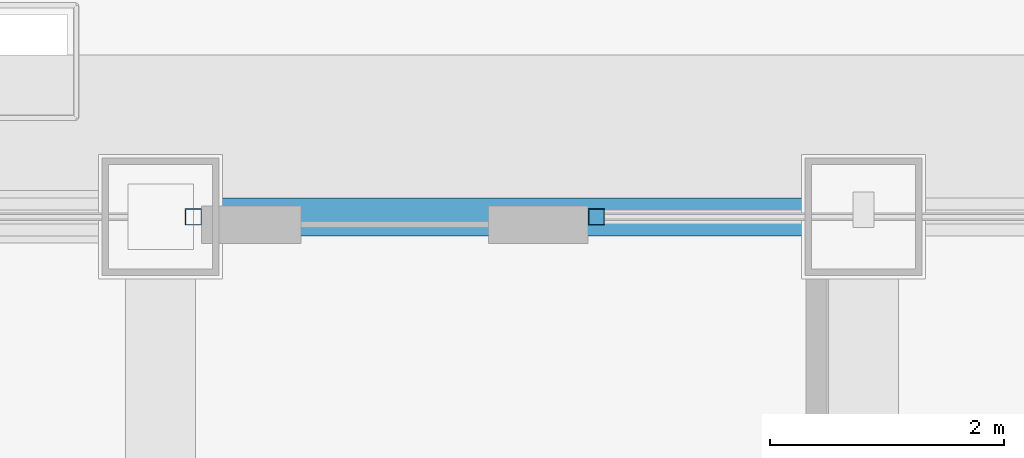
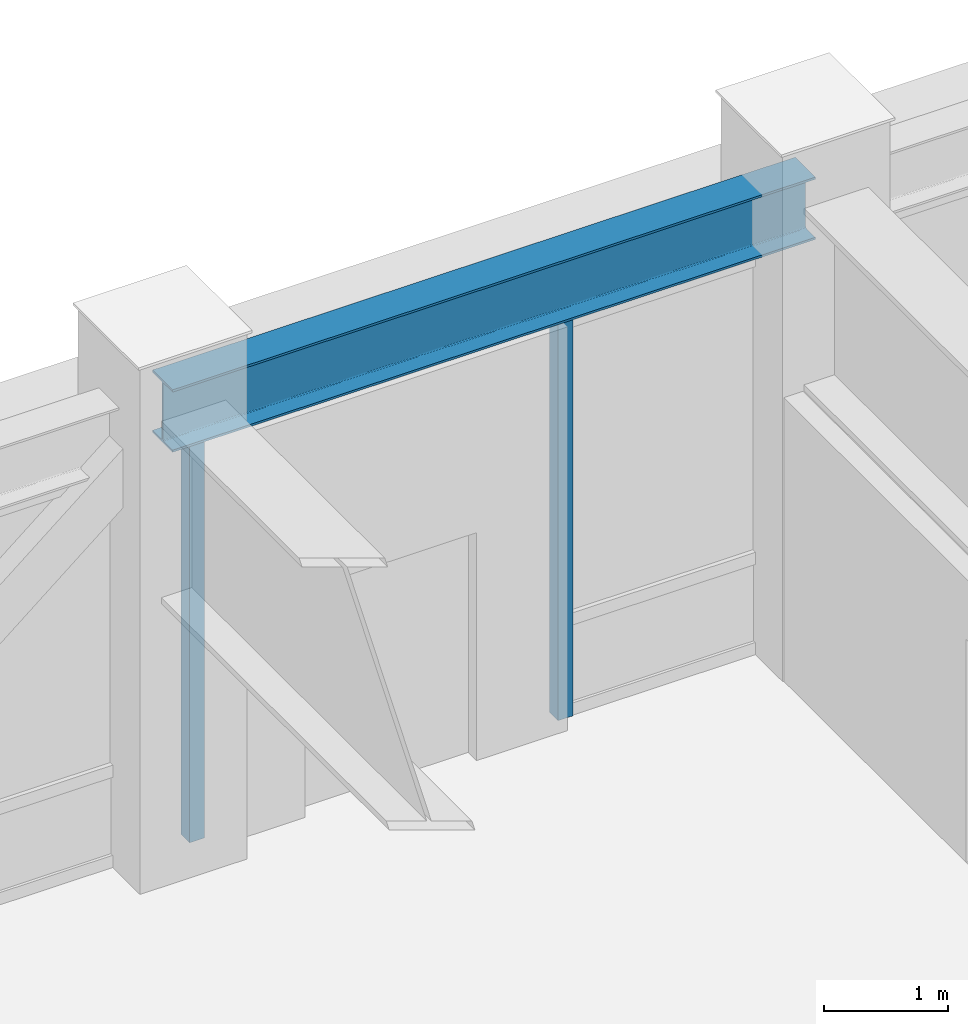
# One storey, part 18 of 33: 2 members, 1 beam, 2 elements without a shape of their own.
"""IFC4 building model written with IfcOpenShell, lengths in metres."""

from ifc_helpers import new_model, si_unit, direction, frame, origin, origin_2d, place, context, subcontext, project, spatial, hollow_rectangle, i_section, extrude, source, transform, mapped, material, material_profile, profile_set, type_object, element, aggregate, save


model = new_model("IFC4")

# Units and contexts
model_context = context("Model", 3, precision=1e-05, world=origin(), true_north=direction((0.0, 1.0)))
body_context = subcontext(model_context, "Body", "Model", "MODEL_VIEW")
ifc_project = project(units=[si_unit("LENGTHUNIT", "METRE"), si_unit("AREAUNIT", "SQUARE_METRE"), si_unit("VOLUMEUNIT", "CUBIC_METRE"), si_unit("PLANEANGLEUNIT", "RADIAN"), si_unit("MASSUNIT", "GRAM", prefix="KILO")], contexts=[model_context])

# Site, building, storey
site_placement = place(None, origin())
site = spatial("IfcSite", under=ifc_project, at=site_placement, CompositionType="ELEMENT")
building_placement = place(site_placement, origin())
building = spatial("IfcBuilding", under=site, at=building_placement, Name="Khorayat Bourse Tower", CompositionType="ELEMENT")
storey_placement = place(building_placement, frame((0.0, 0.0, 263.10009765625)))
storey = spatial("IfcBuildingStorey", under=building, at=storey_placement, Name="L62", CompositionType="ELEMENT", Elevation=263.10009765625)

# Beam
ifc_material_1 = material(Name="Steel ASTM A992 Grade 50", Category="steel")
ifc_material_profile_1 = material_profile(ifc_material_1, i_section(OverallWidth=0.324951171875, OverallDepth=0.615966796875, WebThickness=0.013916015625, FlangeThickness=0.021484375, FilletRadius=0.01611328125, at=origin_2d()), Name="W610X174")
ifc_profile_set_1 = profile_set([ifc_material_profile_1], Name="Steel ASTM A992 Grade 50")
beam_type = type_object("IfcBeamType", Name="BM-SPAN-610", PredefinedType="SPANDREL", material=ifc_profile_set_1)
shared_shape_1 = source(origin(), body_context, "Body", "SweptSolid", [
    extrude(i_section(OverallWidth=0.324951171875, OverallDepth=0.615966796875, WebThickness=0.013916015625, FlangeThickness=0.021484375, FilletRadius=0.01611328125, at=origin_2d()), origin(), (0.0, 0.0, 1.0), 6.0),
])
beam_placement = place(storey_placement, frame((-6.0, 30.0, 4.2919921875), z_axis=(1.0, 0.0, 0.0), x_axis=(0.0, 1.0, 0.0)))
element("IfcBeam", 1, at=beam_placement, inside=storey, type_object=beam_type, Name="L62 BM-SPAN-610 BM-L62-SPN-048", PredefinedType="SPANDREL", context=body_context, shape_type="MappedRepresentation", body=[
    mapped(shared_shape_1, transform((0.0, 0.0, 0.0), scale=1.0)),
])

# Curtain wall, member
ifc_material_2 = material(Name="Aluminium EN AW-6063 T6", Category="aluminium")
curtain_wall_type = type_object("IfcCurtainWallType", Name="CW-SYS-05", PredefinedType="NOTDEFINED", material=ifc_material_2)
curtain_wall_1_placement = place(storey_placement, origin())
curtain_wall_1 = element("IfcCurtainWall", 2, at=curtain_wall_1_placement, inside=storey, type_object=curtain_wall_type, Name="L62 Curtain Wall CW-L62-N1", PredefinedType="NOTDEFINED")
ifc_material_profile_2 = material_profile(ifc_material_2, hollow_rectangle(XDim=0.139892578125, YDim=0.139892578125, WallThickness=0.006103515625, at=origin_2d()), Name="ALU 140x140x6")
ifc_profile_set_2 = profile_set([ifc_material_profile_2], Name="Aluminium EN AW-6063 T6")
member_type = type_object("IfcMemberType", Name="CWM-VERT-140", PredefinedType="MULLION", material=ifc_profile_set_2)
shared_shape_2 = source(origin(), body_context, "Body", "SweptSolid", [
    extrude(hollow_rectangle(XDim=0.139892578125, YDim=0.139892578125, WallThickness=0.006103515625, at=origin_2d()), origin(), (0.0, 0.0, 1.0), 3.949951171875),
])
member_1_placement = place(storey_placement, frame((-5.719970703125, 30.0, 0.0), z_axis=(0.0, 0.0, 1.0), x_axis=(0.0, 1.0, 0.0)))
member_1 = element("IfcMember", 3, at=member_1_placement, type_object=member_type, Name="CW-L62-N1 Vertical Mullion 3", PredefinedType="MULLION", context=body_context, shape_type="MappedRepresentation", body=[
    mapped(shared_shape_2, transform((0.0, 0.0, 0.0), scale=1.0)),
])
aggregate(curtain_wall_1, [member_1])

curtain_wall_2_placement = place(storey_placement, origin())
curtain_wall_2 = element("IfcCurtainWall", 4, at=curtain_wall_2_placement, inside=storey, type_object=curtain_wall_type, Name="L62 Curtain Wall CW-L62-N2", PredefinedType="NOTDEFINED")
member_2_placement = place(storey_placement, frame((-2.280029296875, 30.0, 0.0), z_axis=(0.0, 0.0, 1.0), x_axis=(0.0, 1.0, 0.0)))
member_2 = element("IfcMember", 5, at=member_2_placement, type_object=member_type, Name="CW-L62-N2 Vertical Mullion 1", PredefinedType="MULLION", context=body_context, shape_type="MappedRepresentation", body=[
    mapped(shared_shape_2, transform((0.0, 0.0, 0.0), scale=1.0)),
])
aggregate(curtain_wall_2, [member_2])

save(model, "model.ifc")
